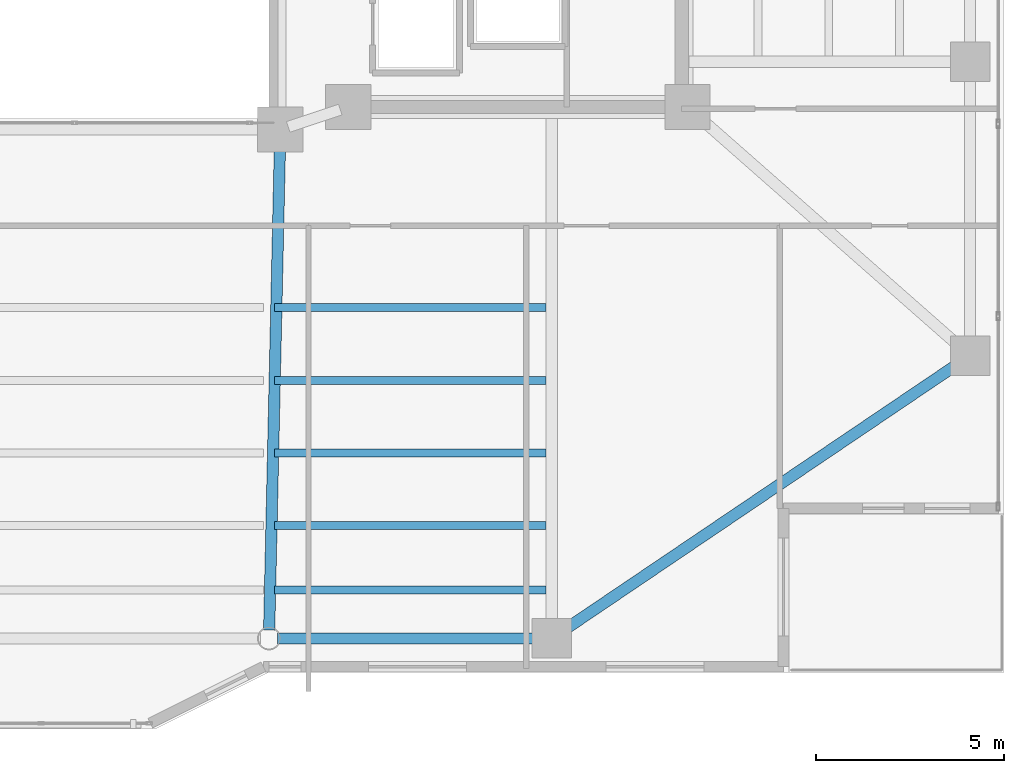
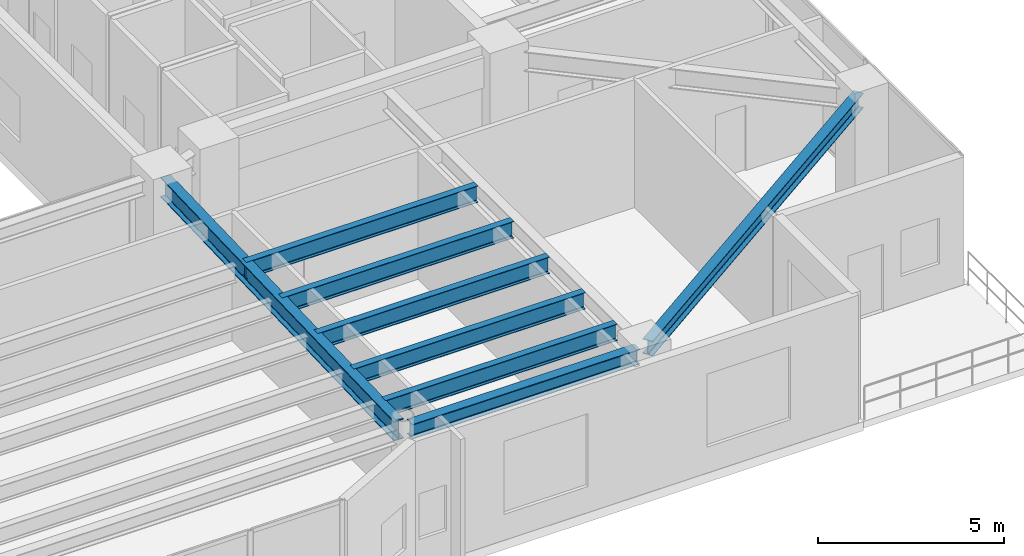
# One storey, part 13 of 37: 8 beams.
"""IFC4 building model written with IfcOpenShell, lengths in metres."""

from ifc_helpers import new_model, si_unit, direction, frame, origin, origin_2d, place, context, subcontext, project, spatial, i_section, extrude, material, material_profile, profile_set, type_object, element, save


model = new_model("IFC4")

# Units and contexts
model_context = context("Model", 3, precision=1e-05, world=origin(), true_north=direction((0.0, 1.0)))
body_context = subcontext(model_context, "Body", "Model", "MODEL_VIEW")
ifc_project = project(units=[si_unit("LENGTHUNIT", "METRE"), si_unit("AREAUNIT", "SQUARE_METRE"), si_unit("VOLUMEUNIT", "CUBIC_METRE"), si_unit("PLANEANGLEUNIT", "RADIAN"), si_unit("MASSUNIT", "GRAM", prefix="KILO")], contexts=[model_context])

# Site, building, storey
site_placement = place(None, origin())
site = spatial("IfcSite", under=ifc_project, at=site_placement, CompositionType="ELEMENT")
building_placement = place(site_placement, origin())
building = spatial("IfcBuilding", under=site, at=building_placement, Name="Tarnavaz Court Tower", CompositionType="ELEMENT")
storey_placement = place(building_placement, frame((0.0, 0.0, 118.5)))
storey = spatial("IfcBuildingStorey", under=building, at=storey_placement, Name="L32", CompositionType="ELEMENT", Elevation=118.5)

# Beams
ifc_material = material(Name="Steel S355", Category="steel")
ifc_material_profile_1 = material_profile(ifc_material, i_section(OverallWidth=0.300048828125, OverallDepth=0.64990234375, WebThickness=0.01611328125, FlangeThickness=0.031005859375, FilletRadius=0.027099609375, at=origin_2d()), Name="HEB 650")
ifc_profile_set_1 = profile_set([ifc_material_profile_1], Name="Steel S355")
beam_type_1 = type_object("IfcBeamType", Name="BM-G-HEB650", PredefinedType="USERDEFINED", material=ifc_profile_set_1)
beam_1_placement = place(storey_placement, frame((7.795166015625, -8.02001953125, 3.875), z_axis=(-0.022221303469, -0.99975307635, 0.0), x_axis=(0.99975307635, -0.022221303469, 0.0)))
element("IfcBeam", 1, at=beam_1_placement, inside=storey, type_object=beam_type_1, Name="L32 Beam RG-07", ObjectType="GIRDER", PredefinedType="USERDEFINED", context=body_context, shape_type="SweptSolid", body=[
    extrude(i_section(OverallWidth=0.300048828125, OverallDepth=0.64990234375, WebThickness=0.01611328125, FlangeThickness=0.031005859375, FilletRadius=0.027099609375, at=origin_2d()), origin(), (0.0, 0.0, 1.0), 13.063232421875),
])
ifc_material_profile_2 = material_profile(ifc_material, i_section(OverallWidth=0.2099609375, OverallDepth=0.550048828125, WebThickness=0.010986328125, FlangeThickness=0.01708984375, FilletRadius=0.02392578125, at=origin_2d()), Name="IPE 550")
ifc_profile_set_2 = profile_set([ifc_material_profile_2], Name="Steel S355")
beam_type_2 = type_object("IfcBeamType", Name="BM-J-IPE550", PredefinedType="JOIST", material=ifc_profile_set_2)
for number, where, z_axis, x_axis, name in (
    (2, (7.64990234375, -12.52587890625, 3.925048828125), (1.0, 0.0, 0.0), (0.0, 1.0, 0.0), "L32 Beam JS1-3"),
    (3, (7.64990234375, -14.451904296875, 3.925048828125), (1.0, 0.0, 0.0), (0.0, 1.0, 0.0), "L32 Beam JS2-3"),
    (4, (7.64990234375, -16.3779296875, 3.925048828125), (1.0, 0.0, 0.0), (0.0, 1.0, 0.0), "L32 Beam JS3-3"),
    (5, (7.64990234375, -18.303955078125, 3.925048828125), (1.0, 0.0, 0.0), (0.0, 1.0, 0.0), "L32 Beam JS4-3"),
    (6, (7.64990234375, -20.01611328125, 3.925048828125), (1.0, 0.0, 0.0), (0.0, 1.0, 0.0), "L32 Beam JS5-3"),
):
    element("IfcBeam", number, at=place(storey_placement, frame(where, z_axis=z_axis, x_axis=x_axis)), inside=storey, type_object=beam_type_2, Name=name, PredefinedType="JOIST", context=body_context, shape_type="SweptSolid", body=[
        extrude(i_section(OverallWidth=0.2099609375, OverallDepth=0.550048828125, WebThickness=0.010986328125, FlangeThickness=0.01708984375, FilletRadius=0.02392578125, at=origin_2d()), origin(), (0.0, 0.0, 1.0), 7.2001953125),
    ])
ifc_material_profile_3 = material_profile(ifc_material, i_section(OverallWidth=0.300048828125, OverallDepth=0.489990234375, WebThickness=0.011962890625, FlangeThickness=0.02294921875, FilletRadius=0.027099609375, at=origin_2d()), Name="HEA 500")
ifc_profile_set_3 = profile_set([ifc_material_profile_3], Name="Steel S355")
beam_type_3 = type_object("IfcBeamType", Name="BM-SP-HEA500", PredefinedType="SPANDREL", material=ifc_profile_set_3)
beam_2_placement = place(storey_placement, frame((7.719970703125, -21.300048828125, 3.955078125), z_axis=(1.0, 0.0, 0.0), x_axis=(0.0, 1.0, 0.0)))
element("IfcBeam", 7, at=beam_2_placement, inside=storey, type_object=beam_type_3, Name="L32 Beam PR-PS-3-PS-4", PredefinedType="SPANDREL", context=body_context, shape_type="SweptSolid", body=[
    extrude(i_section(OverallWidth=0.300048828125, OverallDepth=0.489990234375, WebThickness=0.011962890625, FlangeThickness=0.02294921875, FilletRadius=0.027099609375, at=origin_2d()), origin(), (0.0, 0.0, 1.0), 7.06005859375),
])
beam_3_placement = place(storey_placement, frame((25.917724609375, -13.923095703125, 3.955078125), z_axis=(-0.828587314918, -0.559859858854, 0.0), x_axis=(0.559859858854, -0.828587314918, 0.0)))
element("IfcBeam", 8, at=beam_3_placement, inside=storey, type_object=beam_type_3, Name="L32 Beam PR-PE-1-PS-4", PredefinedType="SPANDREL", context=body_context, shape_type="SweptSolid", body=[
    extrude(i_section(OverallWidth=0.300048828125, OverallDepth=0.489990234375, WebThickness=0.011962890625, FlangeThickness=0.02294921875, FilletRadius=0.027099609375, at=origin_2d()), origin(), (0.0, 0.0, 1.0), 12.956298828125),
])

save(model, "model.ifc")
